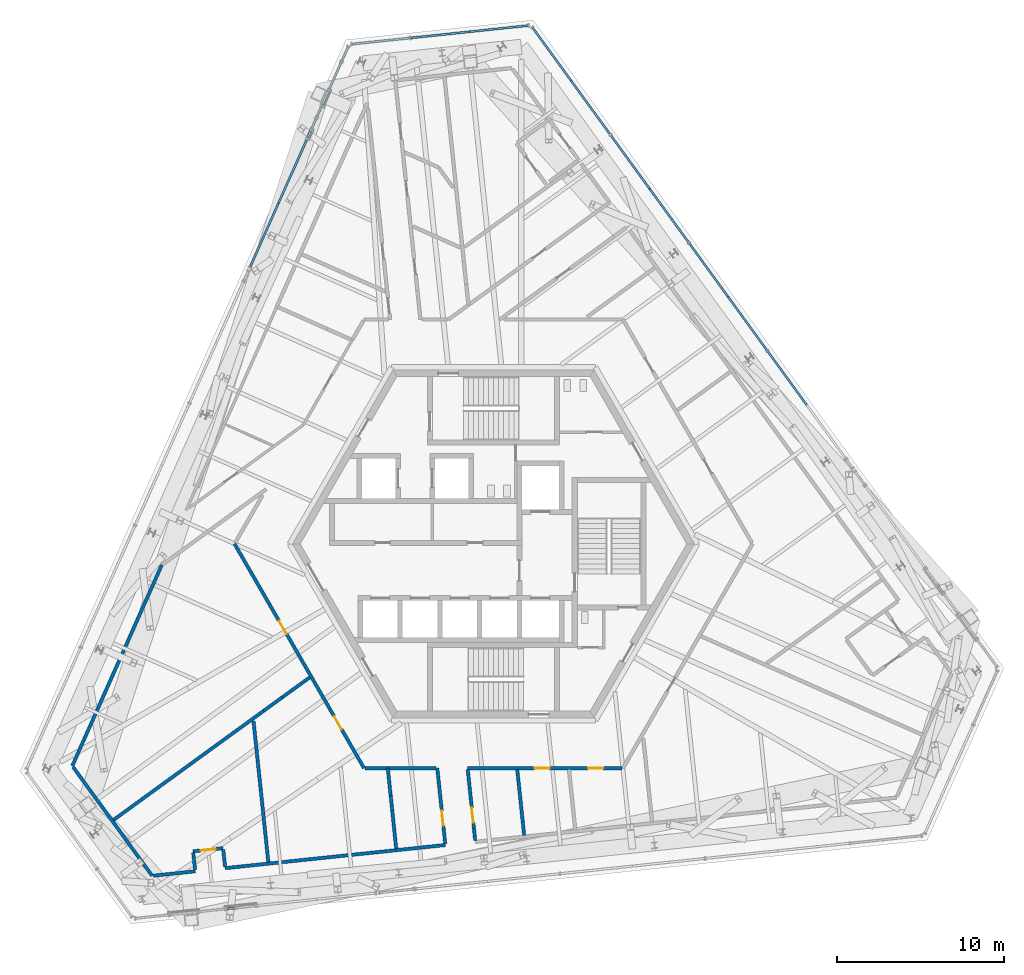
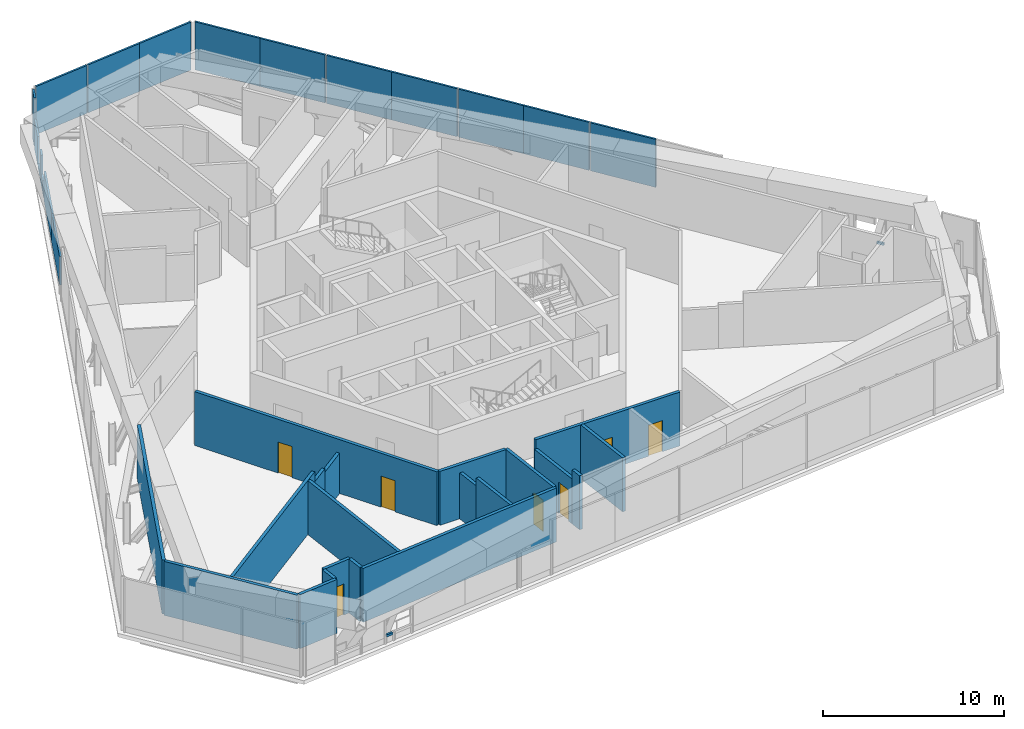
# One storey, part 12 of 23: 20 plates, 20 walls, 7 doors, 7 openings, 11 elements without a shape of their own.
"""IFC4 building model written with IfcOpenShell, lengths in metres."""

from ifc_helpers import new_model, si_unit, direction, frame, frame_2d, origin, origin_2d, place, context, subcontext, project, spatial, rectangle, extrude, source, transform, mapped, material, layer, layer_set, type_object, element, fill, aggregate, save


model = new_model("IFC4")

# Units and contexts
model_context = context("Model", 3, precision=1e-05, world=origin(), true_north=direction((0.0, 1.0)))
body_context = subcontext(model_context, "Body", "Model", "MODEL_VIEW")
ifc_project = project(units=[si_unit("LENGTHUNIT", "METRE"), si_unit("AREAUNIT", "SQUARE_METRE"), si_unit("VOLUMEUNIT", "CUBIC_METRE"), si_unit("PLANEANGLEUNIT", "RADIAN"), si_unit("MASSUNIT", "GRAM", prefix="KILO")], contexts=[model_context])

# Site, building, storey
site_placement = place(None, origin())
site = spatial("IfcSite", under=ifc_project, at=site_placement, CompositionType="ELEMENT")
building_placement = place(site_placement, origin())
building = spatial("IfcBuilding", under=site, at=building_placement, Name="Triune Harvest Tower", CompositionType="ELEMENT")
storey_placement = place(building_placement, frame((0.0, 0.0, 255.699951171875)))
storey = spatial("IfcBuildingStorey", under=building, at=storey_placement, Name="L67", CompositionType="ELEMENT", Elevation=255.699951171875)

# Curtain wall, plate
ifc_material_1 = material(Name="Aluminium bronze anodised", Category="aluminium")
curtain_wall_type = type_object("IfcCurtainWallType", Name="CW-5 Plant louvre wall", PredefinedType="NOTDEFINED", material=ifc_material_1)
curtain_wall_1_placement = place(storey_placement, origin())
curtain_wall_1 = element("IfcCurtainWall", 1, at=curtain_wall_1_placement, inside=storey, type_object=curtain_wall_type, Name="CW-5 B6-F3 L67 run 1")
ifc_material_2 = material(Name="Aluminium bronze anodised", Category="aluminium")
ifc_layer_1 = layer(ifc_material_2, 0.1201171875)
ifc_layer_set_1 = layer_set([ifc_layer_1], Name="Aluminium bronze anodised")
plate_type = type_object("IfcPlateType", Name="GL-5 panel 120", PredefinedType="CURTAIN_PANEL", material=ifc_layer_set_1)
plate_1_placement = place(storey_placement, frame((-8.867919921875, 29.262939453125, 0.39990234375), z_axis=(0.0, 0.0, 1.0), x_axis=(-0.406722768934, -0.913551634682, 0.0)))
plate_1 = element("IfcPlate", 2, at=plate_1_placement, type_object=plate_type, Name="CW-5 panel B6-F3 1.1", PredefinedType="CURTAIN_PANEL", context=body_context, shape_type="SweptSolid", body=[
    extrude(rectangle(XDim=0.887939453125, YDim=0.1201171875, at=origin_2d()), origin(), (0.0, 0.0, 1.0), 3.239990234375),
])
aggregate(curtain_wall_1, [plate_1])

curtain_wall_2_placement = place(storey_placement, origin())
curtain_wall_2 = element("IfcCurtainWall", 3, at=curtain_wall_2_placement, inside=storey, type_object=curtain_wall_type, Name="CW-5 B6-F3 L67 run 101")
plate_2_placement = place(storey_placement, frame((-9.45751953125, 27.9384765625, 0.39990234375), z_axis=(0.0, 0.0, 1.0), x_axis=(-0.406734695374, -0.913546324813, 0.0)))
plate_2 = element("IfcPlate", 4, at=plate_2_placement, type_object=plate_type, Name="CW-5 panel B6-F3 101.1", PredefinedType="CURTAIN_PANEL", context=body_context, shape_type="SweptSolid", body=[
    extrude(rectangle(XDim=1.691650390625, YDim=0.1201171875, at=origin_2d()), origin(), (0.0, 0.0, 1.0), 1.929931640625),
])
aggregate(curtain_wall_2, [plate_2])

curtain_wall_3_placement = place(storey_placement, origin())
curtain_wall_3 = element("IfcCurtainWall", 5, at=curtain_wall_3_placement, inside=storey, type_object=curtain_wall_type, Name="CW-5 B6-F3 L67 run 201")
plate_3_placement = place(storey_placement, frame((-10.04443359375, 26.6201171875, 0.39990234375), z_axis=(0.0, 0.0, 1.0), x_axis=(-0.406765895615, -0.913532433012, 0.0)))
plate_3 = element("IfcPlate", 6, at=plate_3_placement, type_object=plate_type, Name="CW-5 panel B6-F3 201.1", PredefinedType="CURTAIN_PANEL", context=body_context, shape_type="SweptSolid", body=[
    extrude(rectangle(XDim=0.875, YDim=0.1201171875, at=origin_2d()), origin(), (0.0, 0.0, 1.0), 0.240478515625),
])
aggregate(curtain_wall_3, [plate_3])

curtain_wall_4_placement = place(storey_placement, origin())
curtain_wall_4 = element("IfcCurtainWall", 7, at=curtain_wall_4_placement, inside=storey, type_object=curtain_wall_type, Name="CW-5 B6-F3 L67 run 301")
plate_4_placement = place(storey_placement, frame((-10.412353515625, 25.793701171875, 0.39990234375), z_axis=(0.0, 0.0, 1.0), x_axis=(-0.406713780658, -0.913555636304, 0.0)))
plate_4 = element("IfcPlate", 8, at=plate_4_placement, type_object=plate_type, Name="CW-5 panel B6-F3 301.1", PredefinedType="CURTAIN_PANEL", context=body_context, shape_type="SweptSolid", body=[
    extrude(rectangle(XDim=0.614013671875, YDim=0.1201171875, at=origin_2d()), origin(), (0.0, 0.0, 1.0), 1.929931640625),
])
aggregate(curtain_wall_4, [plate_4])

curtain_wall_5_placement = place(storey_placement, origin())
curtain_wall_5 = element("IfcCurtainWall", 9, at=curtain_wall_5_placement, inside=storey, type_object=curtain_wall_type, Name="CW-5 B6-F3 L67 run 401")
plate_5_placement = place(storey_placement, frame((-10.727294921875, 25.086669921875, 0.400146484375), z_axis=(0.0, 0.0, 1.0), x_axis=(-0.406761789834, -0.91353426117, 0.0)))
plate_5 = element("IfcPlate", 10, at=plate_5_placement, type_object=plate_type, Name="CW-5 panel B6-F3 401.1", PredefinedType="CURTAIN_PANEL", context=body_context, shape_type="SweptSolid", body=[
    extrude(rectangle(XDim=0.614013671875, YDim=0.1201171875, at=origin_2d()), origin(), (0.0, 0.0, 1.0), 0.76171875),
])
aggregate(curtain_wall_5, [plate_5])

curtain_wall_6_placement = place(storey_placement, origin())
curtain_wall_6 = element("IfcCurtainWall", 11, at=curtain_wall_6_placement, inside=storey, type_object=curtain_wall_type, Name="CW-5 B6-F5 L67 run 301")
plate_6_placement = place(storey_placement, frame((-15.686767578125, -21.762451171875, 0.39990234375), z_axis=(0.0, 0.0, 1.0), x_axis=(0.994517637256, 0.104568968563, 0.0)))
plate_6 = element("IfcPlate", 12, at=plate_6_placement, type_object=plate_type, Name="CW-5 panel B6-F5 301.1", PredefinedType="CURTAIN_PANEL", context=body_context, shape_type="SweptSolid", body=[
    extrude(rectangle(XDim=0.42431640625, YDim=0.1201171875, at=origin_2d()), origin(), (0.0, 0.0, 1.0), 0.156982421875),
])
aggregate(curtain_wall_6, [plate_6])

curtain_wall_7_placement = place(storey_placement, origin())
curtain_wall_7 = element("IfcCurtainWall", 13, at=curtain_wall_7_placement, inside=storey, type_object=curtain_wall_type, Name="CW-5 B6-F1 L67 run 301")
shared_shape_1 = source(origin(), body_context, "Body", "SweptSolid", [
    extrude(rectangle(XDim=0.42431640625, YDim=0.1201171875, at=origin_2d()), origin(), (0.0, 0.0, 1.0), 0.1572265625),
])
plate_7_placement = place(storey_placement, frame((26.690185546875, -2.703857421875, 0.400146484375), z_axis=(0.0, 0.0, 1.0), x_axis=(-0.587744192127, 0.809046824739, 0.0)))
plate_7 = element("IfcPlate", 14, at=plate_7_placement, type_object=plate_type, Name="CW-5 panel B6-F1 301.1", PredefinedType="CURTAIN_PANEL", context=body_context, shape_type="MappedRepresentation", body=[
    mapped(shared_shape_1, transform((0.0, 0.0, 0.0), scale=1.0)),
])
aggregate(curtain_wall_7, [plate_7])

curtain_wall_8_placement = place(storey_placement, origin())
curtain_wall_8 = element("IfcCurtainWall", 15, at=curtain_wall_8_placement, inside=storey, type_object=curtain_wall_type, Name="CW-5 B6-F3 L67 run 501")
plate_8_placement = place(storey_placement, frame((-11.00341796875, 24.46630859375, 0.400146484375), z_axis=(0.0, 0.0, 1.0), x_axis=(-0.406789384082, -0.913521974009, 0.0)))
plate_8 = element("IfcPlate", 16, at=plate_8_placement, type_object=plate_type, Name="CW-5 panel B6-F3 501.1", PredefinedType="CURTAIN_PANEL", context=body_context, shape_type="MappedRepresentation", body=[
    mapped(shared_shape_1, transform((0.0, 0.0, 0.0), scale=1.0)),
])
aggregate(curtain_wall_8, [plate_8])

# Curtain wall, plates
curtain_wall_9_placement = place(storey_placement, origin())
curtain_wall_9 = element("IfcCurtainWall", 17, at=curtain_wall_9_placement, inside=storey, type_object=curtain_wall_type, Name="CW-5 B6-F1 L67 run 901")
shared_shape_2 = source(origin(), body_context, "Body", "SweptSolid", [
    extrude(rectangle(XDim=3.910888671875, YDim=0.1201171875, at=origin_2d()), origin(), (0.0, 0.0, 1.0), 3.239990234375),
])
plate_9_placement = place(storey_placement, frame((3.478515625, 29.244384765625, 0.39990234375), z_axis=(0.0, 0.0, 1.0), x_axis=(-0.587786122057, 0.809016362454, 0.0)))
plate_9 = element("IfcPlate", 18, at=plate_9_placement, type_object=plate_type, Name="CW-5 panel B6-F1 901.8", PredefinedType="CURTAIN_PANEL", context=body_context, shape_type="MappedRepresentation", body=[
    mapped(shared_shape_2, transform((0.0, 0.0, 0.0), scale=1.0)),
])
shared_shape_3 = source(origin(), body_context, "Body", "SweptSolid", [
    extrude(rectangle(XDim=3.950927734375, YDim=0.1201171875, at=origin_2d()), origin(), (0.0, 0.0, 1.0), 3.239990234375),
])
plate_10_placement = place(storey_placement, frame((17.541259765625, 9.888427734375, 0.39990234375), z_axis=(0.0, 0.0, 1.0), x_axis=(-0.587786122057, 0.809016362454, 0.0)))
plate_10 = element("IfcPlate", 19, at=plate_10_placement, type_object=plate_type, Name="CW-5 panel B6-F1 901.2", PredefinedType="CURTAIN_PANEL", context=body_context, shape_type="MappedRepresentation", body=[
    mapped(shared_shape_3, transform((0.0, 0.0, 0.0), scale=1.0)),
])
plate_11_placement = place(storey_placement, frame((15.172119140625, 13.149658203125, 0.39990234375), z_axis=(0.0, 0.0, 1.0), x_axis=(-0.587786122057, 0.809016362454, 0.0)))
plate_11 = element("IfcPlate", 20, at=plate_11_placement, type_object=plate_type, Name="CW-5 panel B6-F1 901.3", PredefinedType="CURTAIN_PANEL", context=body_context, shape_type="MappedRepresentation", body=[
    mapped(shared_shape_3, transform((0.0, 0.0, 0.0), scale=1.0)),
])
plate_12_placement = place(storey_placement, frame((12.849853515625, 16.345947265625, 0.39990234375), z_axis=(0.0, 0.0, 1.0), x_axis=(-0.587786122057, 0.809016362454, 0.0)))
plate_12 = element("IfcPlate", 21, at=plate_12_placement, type_object=plate_type, Name="CW-5 panel B6-F1 901.4", PredefinedType="CURTAIN_PANEL", context=body_context, shape_type="MappedRepresentation", body=[
    mapped(shared_shape_3, transform((0.0, 0.0, 0.0), scale=1.0)),
])
plate_13_placement = place(storey_placement, frame((10.48046875, 19.60693359375, 0.39990234375), z_axis=(0.0, 0.0, 1.0), x_axis=(-0.587786122057, 0.809016362454, 0.0)))
plate_13 = element("IfcPlate", 22, at=plate_13_placement, type_object=plate_type, Name="CW-5 panel B6-F1 901.5", PredefinedType="CURTAIN_PANEL", context=body_context, shape_type="MappedRepresentation", body=[
    mapped(shared_shape_3, transform((0.0, 0.0, 0.0), scale=1.0)),
])
plate_14_placement = place(storey_placement, frame((8.158203125, 22.80322265625, 0.39990234375), z_axis=(0.0, 0.0, 1.0), x_axis=(-0.587786122057, 0.809016362454, 0.0)))
plate_14 = element("IfcPlate", 23, at=plate_14_placement, type_object=plate_type, Name="CW-5 panel B6-F1 901.6", PredefinedType="CURTAIN_PANEL", context=body_context, shape_type="MappedRepresentation", body=[
    mapped(shared_shape_3, transform((0.0, 0.0, 0.0), scale=1.0)),
])
plate_15_placement = place(storey_placement, frame((5.788818359375, 26.064208984375, 0.39990234375), z_axis=(0.0, 0.0, 1.0), x_axis=(-0.587786122057, 0.809016362454, 0.0)))
plate_15 = element("IfcPlate", 24, at=plate_15_placement, type_object=plate_type, Name="CW-5 panel B6-F1 901.7", PredefinedType="CURTAIN_PANEL", context=body_context, shape_type="MappedRepresentation", body=[
    mapped(shared_shape_3, transform((0.0, 0.0, 0.0), scale=1.0)),
])
aggregate(curtain_wall_9, [plate_10, plate_11, plate_12, plate_13, plate_14, plate_15, plate_9])

curtain_wall_10_placement = place(storey_placement, origin())
curtain_wall_10 = element("IfcCurtainWall", 25, at=curtain_wall_10_placement, inside=storey, type_object=curtain_wall_type, Name="CW-5 B6-F2 L67 run 1")
shared_shape_4 = source(origin(), body_context, "Body", "SweptSolid", [
    extrude(rectangle(XDim=3.49560546875, YDim=0.1201171875, at=origin_2d()), origin(), (0.0, 0.0, 1.0), 3.239990234375),
])
plate_16_placement = place(storey_placement, frame((0.32177734375, 30.763427734375, 0.39990234375), z_axis=(0.0, 0.0, 1.0), x_axis=(-0.994521768229, -0.104529672907, 0.0)))
plate_16 = element("IfcPlate", 26, at=plate_16_placement, type_object=plate_type, Name="CW-5 panel B6-F2 1.1", PredefinedType="CURTAIN_PANEL", context=body_context, shape_type="MappedRepresentation", body=[
    mapped(shared_shape_4, transform((0.0, 0.0, 0.0), scale=1.0)),
])
shared_shape_5 = source(origin(), body_context, "Body", "SweptSolid", [
    extrude(rectangle(XDim=3.53564453125, YDim=0.1201171875, at=origin_2d()), origin(), (0.0, 0.0, 1.0), 3.239990234375),
])
plate_17_placement = place(storey_placement, frame((-3.174560546875, 30.39599609375, 0.39990234375), z_axis=(0.0, 0.0, 1.0), x_axis=(-0.994521768229, -0.104529672907, 0.0)))
plate_17 = element("IfcPlate", 27, at=plate_17_placement, type_object=plate_type, Name="CW-5 panel B6-F2 1.2", PredefinedType="CURTAIN_PANEL", context=body_context, shape_type="MappedRepresentation", body=[
    mapped(shared_shape_5, transform((0.0, 0.0, 0.0), scale=1.0)),
])
shared_shape_6 = source(origin(), body_context, "Body", "SweptSolid", [
    extrude(rectangle(XDim=3.45556640625, YDim=0.1201171875, at=origin_2d()), origin(), (0.0, 0.0, 1.0), 3.239990234375),
])
plate_18_placement = place(storey_placement, frame((-6.730712890625, 30.022216796875, 0.39990234375), z_axis=(0.0, 0.0, 1.0), x_axis=(-0.994521768229, -0.104529672907, 0.0)))
plate_18 = element("IfcPlate", 28, at=plate_18_placement, type_object=plate_type, Name="CW-5 panel B6-F2 1.3", PredefinedType="CURTAIN_PANEL", context=body_context, shape_type="MappedRepresentation", body=[
    mapped(shared_shape_6, transform((0.0, 0.0, 0.0), scale=1.0)),
])
aggregate(curtain_wall_10, [plate_16, plate_17, plate_18])

curtain_wall_11_placement = place(storey_placement, origin())
curtain_wall_11 = element("IfcCurtainWall", 29, at=curtain_wall_11_placement, inside=storey, type_object=curtain_wall_type, Name="CW-5 B6-F3 L67 run 601")
shared_shape_7 = source(origin(), body_context, "Body", "SweptSolid", [
    extrude(rectangle(XDim=4.147216796875, YDim=0.1201171875, at=origin_2d()), origin(), (0.0, 0.0, 1.0), 1.929931640625),
])
plate_19_placement = place(storey_placement, frame((-11.998291015625, 22.23193359375, 0.39990234375), z_axis=(0.0, 0.0, 1.0), x_axis=(-0.406734298534, -0.913546501496, 0.0)))
plate_19 = element("IfcPlate", 30, at=plate_19_placement, type_object=plate_type, Name="CW-5 panel B6-F3 601.1", PredefinedType="CURTAIN_PANEL", context=body_context, shape_type="MappedRepresentation", body=[
    mapped(shared_shape_7, transform((0.0, 0.0, 0.0), scale=1.0)),
])
plate_20_placement = place(storey_placement, frame((-13.68505859375, 18.443359375, 0.39990234375), z_axis=(0.0, 0.0, 1.0), x_axis=(-0.406734298534, -0.913546501496, 0.0)))
plate_20 = element("IfcPlate", 31, at=plate_20_placement, type_object=plate_type, Name="CW-5 panel B6-F3 601.2", PredefinedType="CURTAIN_PANEL", context=body_context, shape_type="MappedRepresentation", body=[
    mapped(shared_shape_7, transform((0.0, 0.0, 0.0), scale=1.0)),
])
aggregate(curtain_wall_11, [plate_19, plate_20])

# Walls
ifc_material_3 = material(Name="Gypsum board on steel studs", Category="steel")
ifc_layer_2 = layer(ifc_material_3, 0.199951171875)
ifc_layer_set_2 = layer_set([ifc_layer_2], Name="Gypsum board on steel studs")
wall_type = type_object("IfcWallType", Name="Fire Wall 200 mm", PredefinedType="PARTITIONING", material=ifc_layer_set_2)
wall_1_placement = place(storey_placement, frame((-14.33203125, -10.573486328125, 0.0), z_axis=(0.0, 0.0, 1.0), x_axis=(0.104521542709, -0.994522622724, 0.0)))
element("IfcWall", 32, at=wall_1_placement, inside=storey, type_object=wall_type, Name="Partition L67 003", PredefinedType="PARTITIONING", context=body_context, shape_type="SweptSolid", body=[
    extrude(rectangle(XDim=8.48583984375, YDim=0.199951171875, at=frame_2d((4.242919921875, 0.0))), origin(), (0.0, 0.0, 1.0), 3.64013671875),
])
wall_2_placement = place(storey_placement, frame((-6.314208984375, -13.392333984375, 0.0), z_axis=(0.0, 0.0, 1.0), x_axis=(0.10453020092, -0.994521712732, 0.0)))
element("IfcWall", 33, at=wall_2_placement, inside=storey, type_object=wall_type, Name="Partition L67 004", PredefinedType="PARTITIONING", context=body_context, shape_type="SweptSolid", body=[
    extrude(rectangle(XDim=1.644287109375, YDim=0.199951171875, at=frame_2d((0.822265625, 0.0))), origin(), (0.0, 0.0, 1.0), 3.10400390625),
])

# Wall, opening, door
wall_3_placement = place(storey_placement, frame((-3.35791015625, -13.392333984375, 0.0), z_axis=(0.0, 0.0, 1.0), x_axis=(0.104533475735, -0.994521368524, 0.0)))
wall_3 = element("IfcWall", 34, at=wall_3_placement, inside=storey, type_object=wall_type, Name="Partition L67 006", PredefinedType="PARTITIONING", context=body_context, shape_type="SweptSolid", body=[
    extrude(rectangle(XDim=4.53564453125, YDim=0.199951171875, at=frame_2d((2.267822265625, 0.0))), origin(), (0.0, 0.0, 1.0), 3.64013671875),
])
opening_1_placement = place(wall_3_placement, frame((2.564208984375, 0.0, 0.0)))
opening_1 = element("IfcOpeningElement", 35, at=opening_1_placement, cuts=wall_3, Name="Opening L67-017", PredefinedType="OPENING", context=body_context, shape_type="SweptSolid", body=[
    extrude(rectangle(XDim=0.89990234375, YDim=2.10009765625, at=frame_2d((0.449951171875, 1.050048828125))), frame((0.0, 0.10986328125, 0.0), z_axis=(0.0, -1.0, 0.0), x_axis=(1.0, 0.0, 0.0)), (0.0, 0.0, 1.0), 0.219970703125),
])
ifc_material_4 = material(Name="Timber and steel door set", Category="steel")
door_type_1 = type_object("IfcDoorType", Name="Single leaf door FD60 left hand 900 x 2100", OperationType="SINGLE_SWING_LEFT", PredefinedType="DOOR", material=ifc_material_4)
door_1_placement = place(opening_1_placement, origin())
door_1 = element("IfcDoor", 36, at=door_1_placement, inside=storey, type_object=door_type_1, Name="Door L67-017 Pump Room 67.17", OperationType="SINGLE_SWING_LEFT", OverallHeight=2.10009765625, OverallWidth=0.89990234375, PredefinedType="DOOR", context=body_context, shape_type="SweptSolid", body=[
    extrude(rectangle(XDim=0.89990234375, YDim=2.10009765625, at=frame_2d((0.449951171875, 1.050048828125))), frame((0.0, 0.02490234375, 0.0), z_axis=(0.0, -1.0, 0.0), x_axis=(1.0, 0.0, 0.0)), (0.0, 0.0, 1.0), 0.050048828125),
])
fill(opening_1, door_1)

wall_4_placement = place(storey_placement, frame((-1.538818359375, -13.481689453125, 0.0), z_axis=(0.0, 0.0, 1.0), x_axis=(0.104544691041, -0.994520189627, 0.0)))
wall_4 = element("IfcWall", 37, at=wall_4_placement, inside=storey, type_object=wall_type, Name="Partition L67 008", PredefinedType="PARTITIONING", context=body_context, shape_type="SweptSolid", body=[
    extrude(rectangle(XDim=3.537841796875, YDim=0.199951171875, at=frame_2d((1.76904296875, 0.0))), origin(), (0.0, 0.0, 1.0), 3.02783203125),
])
opening_2_placement = place(wall_4_placement, frame((2.286376953125, 0.0, 0.0)))
opening_2 = element("IfcOpeningElement", 38, at=opening_2_placement, cuts=wall_4, Name="Opening L67-018", PredefinedType="OPENING", context=body_context, shape_type="SweptSolid", body=[
    extrude(rectangle(XDim=0.89990234375, YDim=2.10009765625, at=frame_2d((0.449951171875, 1.050048828125))), frame((0.0, 0.10986328125, 0.0), z_axis=(0.0, -1.0, 0.0), x_axis=(1.0, 0.0, 0.0)), (0.0, 0.0, 1.0), 0.219970703125),
])
ifc_material_5 = material(Name="Timber and steel door set", Category="steel")
door_type_2 = type_object("IfcDoorType", Name="Single leaf door FD60 right hand 900 x 2100", OperationType="SINGLE_SWING_RIGHT", PredefinedType="DOOR", material=ifc_material_5)
door_2_placement = place(opening_2_placement, origin())
door_2 = element("IfcDoor", 39, at=door_2_placement, inside=storey, type_object=door_type_2, Name="Door L67-018 Switch Room 67.18", OperationType="SINGLE_SWING_RIGHT", OverallHeight=2.10009765625, OverallWidth=0.89990234375, PredefinedType="DOOR", context=body_context, shape_type="SweptSolid", body=[
    extrude(rectangle(XDim=0.89990234375, YDim=2.10009765625, at=frame_2d((0.449951171875, 1.050048828125))), frame((0.0, 0.02490234375, 0.0), z_axis=(0.0, -1.0, 0.0), x_axis=(1.0, 0.0, 0.0)), (0.0, 0.0, 1.0), 0.050048828125),
])
fill(opening_2, door_2)

# Walls
wall_5_placement = place(storey_placement, frame((-1.1689453125, -17.000244140625, 0.0), z_axis=(0.0, 0.0, 1.0), x_axis=(0.104313343332, -0.994544481862, 0.0)))
element("IfcWall", 40, at=wall_5_placement, inside=storey, type_object=wall_type, Name="Partition L67 008a", PredefinedType="PARTITIONING", context=body_context, shape_type="SweptSolid", body=[
    extrude(rectangle(XDim=0.718505859375, YDim=0.199951171875, at=frame_2d((0.359375, 0.0))), origin(), (0.0, 0.0, 1.0), 3.64013671875),
])
wall_6_placement = place(storey_placement, frame((1.4169921875, -13.481689453125, 0.0), z_axis=(0.0, 0.0, 1.0), x_axis=(0.104523807841, -0.994522384662, 0.0)))
element("IfcWall", 41, at=wall_6_placement, inside=storey, type_object=wall_type, Name="Partition L67 010", PredefinedType="PARTITIONING", context=body_context, shape_type="SweptSolid", body=[
    extrude(rectangle(XDim=3.947509765625, YDim=0.199951171875, at=frame_2d((1.9736328125, 0.0))), origin(), (0.0, 0.0, 1.0), 3.64013671875),
])
wall_7_placement = place(storey_placement, frame((-25.10986328125, -13.316162109375, 0.0), z_axis=(0.0, 0.0, 1.0), x_axis=(0.587798000585, -0.809007732045, 0.0)))
element("IfcWall", 42, at=wall_7_placement, inside=storey, type_object=wall_type, Name="Partition L67 015", PredefinedType="PARTITIONING", context=body_context, shape_type="SweptSolid", body=[
    extrude(rectangle(XDim=8.04248046875, YDim=0.199951171875, at=frame_2d((4.021240234375, 0.0))), origin(), (0.0, 0.0, 1.0), 3.64013671875),
])
wall_8_placement = place(storey_placement, frame((-7.662109375, -13.392333984375, 0.0), z_axis=(0.0, 0.0, 1.0), x_axis=(1.0, 0.0, 0.0)))
element("IfcWall", 43, at=wall_8_placement, inside=storey, type_object=wall_type, Name="Partition L67 030", PredefinedType="PARTITIONING", context=body_context, shape_type="SweptSolid", body=[
    extrude(rectangle(XDim=4.223876953125, YDim=0.199951171875, at=frame_2d((2.11181640625, 0.0))), origin(), (0.0, 0.0, 1.0), 3.64013671875),
])
wall_9_placement = place(storey_placement, frame((-20.312744140625, -19.815185546875, 0.0), z_axis=(0.0, 0.0, 1.0), x_axis=(0.994525654984, 0.104492686726, 0.0)))
element("IfcWall", 44, at=wall_9_placement, inside=storey, type_object=wall_type, Name="Partition L67 035", PredefinedType="PARTITIONING", context=body_context, shape_type="SweptSolid", body=[
    extrude(rectangle(XDim=2.513916015625, YDim=0.199951171875, at=frame_2d((1.2568359375, 0.0))), origin(), (0.0, 0.0, 1.0), 3.64013671875),
])
wall_10_placement = place(storey_placement, frame((-16.022705078125, -19.3642578125, 0.0), z_axis=(0.0, 0.0, 1.0), x_axis=(0.994523350514, 0.104514617552, 0.0)))
element("IfcWall", 45, at=wall_10_placement, inside=storey, type_object=wall_type, Name="Partition L67 036", PredefinedType="PARTITIONING", context=body_context, shape_type="SweptSolid", body=[
    extrude(rectangle(XDim=13.21923828125, YDim=0.199951171875, at=frame_2d((6.609619140625, 0.0))), origin(), (0.0, 0.0, 1.0), 3.64013671875),
])
wall_11_placement = place(storey_placement, frame((-22.766845703125, -16.540771484375, 0.0), z_axis=(0.0, 0.0, 1.0), x_axis=(0.80902301936, 0.587776959522, 0.0)))
element("IfcWall", 46, at=wall_11_placement, inside=storey, type_object=wall_type, Name="Partition L67 043", PredefinedType="PARTITIONING", context=body_context, shape_type="SweptSolid", body=[
    extrude(rectangle(XDim=11.181640625, YDim=0.199951171875, at=frame_2d((5.5908203125, 0.0))), origin(), (0.0, 0.0, 1.0), 3.64013671875),
])
wall_12_placement = place(storey_placement, frame((-13.720703125, -9.968505859375, 0.0), z_axis=(0.0, 0.0, 1.0), x_axis=(0.809011945079, 0.58779220199, 0.0)))
element("IfcWall", 47, at=wall_12_placement, inside=storey, type_object=wall_type, Name="Partition L67 043a", PredefinedType="PARTITIONING", context=body_context, shape_type="SweptSolid", body=[
    extrude(rectangle(XDim=1.377197265625, YDim=0.199951171875, at=frame_2d((0.6884765625, 0.0))), origin(), (0.0, 0.0, 1.0), 2.956787109375),
])
wall_13_placement = place(storey_placement, frame((-12.6064453125, -9.158935546875, 0.0), z_axis=(0.0, 0.0, 1.0), x_axis=(0.809017368716, 0.587784737056, 0.0)))
element("IfcWall", 48, at=wall_13_placement, inside=storey, type_object=wall_type, Name="Partition L67 043b", PredefinedType="PARTITIONING", context=body_context, shape_type="SweptSolid", body=[
    extrude(rectangle(XDim=2.026123046875, YDim=0.199951171875, at=frame_2d((1.01318359375, 0.0))), origin(), (0.0, 0.0, 1.0), 2.7255859375),
])
wall_14_placement = place(storey_placement, frame((-25.15087890625, -13.259521484375, 0.0), z_axis=(0.0, 0.0, 1.0), x_axis=(0.40672341593, 0.913551346633, 0.0)))
element("IfcWall", 49, at=wall_14_placement, inside=storey, type_object=wall_type, Name="Partition L67 058", PredefinedType="PARTITIONING", context=body_context, shape_type="SweptSolid", body=[
    extrude(rectangle(XDim=13.1259765625, YDim=0.199951171875, at=frame_2d((6.56298828125, 0.0))), origin(), (0.0, 0.0, 1.0), 3.64013671875),
])

# Wall, openings, doors
shared_shape_8 = source(origin(), body_context, "Body", "SweptSolid", [
    extrude(rectangle(XDim=9.21044921875, YDim=0.199951171875, at=frame_2d((4.605224609375, 0.0))), origin(), (0.0, 0.0, 1.0), 3.64013671875),
])
wall_15_placement = place(storey_placement, frame((-1.54833984375, -13.392333984375, 0.0), z_axis=(0.0, 0.0, 1.0), x_axis=(1.0, 0.0, 0.0)))
wall_15 = element("IfcWall", 50, at=wall_15_placement, inside=storey, type_object=wall_type, Name="Partition L67 031", PredefinedType="PARTITIONING", context=body_context, shape_type="MappedRepresentation", body=[
    mapped(shared_shape_8, transform((0.0, 0.0, 0.0), scale=1.0)),
])
opening_3_placement = place(wall_15_placement, frame((4.005859375, 0.0, 0.0)))
opening_3 = element("IfcOpeningElement", 51, at=opening_3_placement, cuts=wall_15, Name="Opening L67-019", PredefinedType="OPENING", context=body_context, shape_type="SweptSolid", body=[
    extrude(rectangle(XDim=0.89990234375, YDim=2.10009765625, at=frame_2d((0.449951171875, 1.050048828125))), frame((0.0, 0.10986328125, 0.0), z_axis=(0.0, -1.0, 0.0), x_axis=(1.0, 0.0, 0.0)), (0.0, 0.0, 1.0), 0.219970703125),
])
opening_4_placement = place(wall_15_placement, frame((7.194580078125, 0.0, 0.0)))
opening_4 = element("IfcOpeningElement", 52, at=opening_4_placement, cuts=wall_15, Name="Opening L67-020", PredefinedType="OPENING", context=body_context, shape_type="SweptSolid", body=[
    extrude(rectangle(XDim=0.89990234375, YDim=2.10009765625, at=frame_2d((0.449951171875, 1.050048828125))), frame((0.0, 0.10986328125, 0.0), z_axis=(0.0, -1.0, 0.0), x_axis=(1.0, 0.0, 0.0)), (0.0, 0.0, 1.0), 0.219970703125),
])
door_3_placement = place(opening_4_placement, origin())
door_3 = element("IfcDoor", 53, at=door_3_placement, inside=storey, type_object=door_type_1, Name="Door L67-020 Telecom Plant Room 67.20", OperationType="SINGLE_SWING_LEFT", OverallHeight=2.10009765625, OverallWidth=0.89990234375, PredefinedType="DOOR", context=body_context, shape_type="SweptSolid", body=[
    extrude(rectangle(XDim=0.89990234375, YDim=2.10009765625, at=frame_2d((0.449951171875, 1.050048828125))), frame((0.0, 0.02490234375, 0.0), z_axis=(0.0, -1.0, 0.0), x_axis=(1.0, 0.0, 0.0)), (0.0, 0.0, 1.0), 0.050048828125),
])
fill(opening_4, door_3)
door_4_placement = place(opening_3_placement, origin())
door_4 = element("IfcDoor", 54, at=door_4_placement, inside=storey, type_object=door_type_2, Name="Door L67-019 Electrical Plant Room 67.19", OperationType="SINGLE_SWING_RIGHT", OverallHeight=2.10009765625, OverallWidth=0.89990234375, PredefinedType="DOOR", context=body_context, shape_type="SweptSolid", body=[
    extrude(rectangle(XDim=0.89990234375, YDim=2.10009765625, at=frame_2d((0.449951171875, 1.050048828125))), frame((0.0, 0.02490234375, 0.0), z_axis=(0.0, -1.0, 0.0), x_axis=(1.0, 0.0, 0.0)), (0.0, 0.0, 1.0), 0.050048828125),
])
fill(opening_3, door_4)

# Wall, opening, door
shared_shape_9 = source(origin(), body_context, "Body", "SweptSolid", [
    extrude(rectangle(XDim=1.800048828125, YDim=0.199951171875, at=frame_2d((0.89990234375, 0.0))), origin(), (0.0, 0.0, 1.0), 3.64013671875),
])
wall_16_placement = place(storey_placement, frame((-17.93798828125, -18.359130859375, 0.0), z_axis=(0.0, 0.0, 1.0), x_axis=(0.994518078987, 0.104564767339, 0.0)))
wall_16 = element("IfcWall", 55, at=wall_16_placement, inside=storey, type_object=wall_type, Name="Partition L67 038", PredefinedType="PARTITIONING", context=body_context, shape_type="MappedRepresentation", body=[
    mapped(shared_shape_9, transform((0.0, 0.0, 0.0), scale=1.0)),
])
opening_5_placement = place(wall_16_placement, frame((0.4501953125, 0.0, 0.0)))
opening_5 = element("IfcOpeningElement", 56, at=opening_5_placement, cuts=wall_16, Name="Opening L67-015", PredefinedType="OPENING", context=body_context, shape_type="SweptSolid", body=[
    extrude(rectangle(XDim=0.89990234375, YDim=2.10009765625, at=frame_2d((0.449951171875, 1.050048828125))), frame((0.0, 0.10986328125, 0.0), z_axis=(0.0, -1.0, 0.0), x_axis=(1.0, 0.0, 0.0)), (0.0, 0.0, 1.0), 0.219970703125),
])
door_5_placement = place(opening_5_placement, origin())
door_5 = element("IfcDoor", 57, at=door_5_placement, inside=storey, type_object=door_type_2, Name="Door L67-015 Plant room 67.15", OperationType="SINGLE_SWING_RIGHT", OverallHeight=2.10009765625, OverallWidth=0.89990234375, PredefinedType="DOOR", context=body_context, shape_type="SweptSolid", body=[
    extrude(rectangle(XDim=0.89990234375, YDim=2.10009765625, at=frame_2d((0.449951171875, 1.050048828125))), frame((0.0, 0.02490234375, 0.0), z_axis=(0.0, -1.0, 0.0), x_axis=(1.0, 0.0, 0.0)), (0.0, 0.0, 1.0), 0.050048828125),
])
fill(opening_5, door_5)

# Walls
shared_shape_10 = source(origin(), body_context, "Body", "SweptSolid", [
    extrude(rectangle(XDim=1.039794921875, YDim=0.199951171875, at=frame_2d((0.52001953125, 0.0))), origin(), (0.0, 0.0, 1.0), 3.64013671875),
])
for number, where, z_axis, x_axis, name in (
    (58, (-17.9296875, -18.438720703125, 0.0), (0.0, 0.0, 1.0), (0.104477018177, -0.99452730112, 0.0), "Partition L67 001"),
    (59, (-16.139404296875, -18.25048828125, 0.0), (0.0, 0.0, 1.0), (0.104477018177, -0.99452730112, 0.0), "Partition L67 002"),
):
    element("IfcWall", number, at=place(storey_placement, frame(where, z_axis=z_axis, x_axis=x_axis)), inside=storey, type_object=wall_type, Name=name, PredefinedType="PARTITIONING", context=body_context, shape_type="MappedRepresentation", body=[
        mapped(shared_shape_10, transform((0.0, 0.0, 0.0), scale=1.0)),
    ])
shared_shape_11 = source(origin(), body_context, "Body", "SweptSolid", [
    extrude(rectangle(XDim=3.2001953125, YDim=0.199951171875, at=frame_2d((1.60009765625, 0.0))), origin(), (0.0, 0.0, 1.0), 3.64013671875),
])
wall_17_placement = place(storey_placement, frame((-6.142333984375, -15.027587890625, 0.0), z_axis=(0.0, 0.0, 1.0), x_axis=(0.104517989015, -0.994522996201, 0.0)))
element("IfcWall", 60, at=wall_17_placement, inside=storey, type_object=wall_type, Name="Partition L67 004a", PredefinedType="PARTITIONING", context=body_context, shape_type="MappedRepresentation", body=[
    mapped(shared_shape_11, transform((0.0, 0.0, 0.0), scale=1.0)),
])

# Wall, openings, doors
shared_shape_12 = source(origin(), body_context, "Body", "SweptSolid", [
    extrude(rectangle(XDim=15.464111328125, YDim=0.199951171875, at=frame_2d((7.73193359375, 0.0))), origin(), (0.0, 0.0, 1.0), 3.64013671875),
])
wall_18_placement = place(storey_placement, frame((-15.464111328125, 0.0, 0.0), z_axis=(0.0, 0.0, 1.0), x_axis=(0.499993499245, -0.866029156965, 0.0)))
wall_18 = element("IfcWall", 61, at=wall_18_placement, inside=storey, type_object=wall_type, Name="Partition L67 013", PredefinedType="PARTITIONING", context=body_context, shape_type="MappedRepresentation", body=[
    mapped(shared_shape_12, transform((0.0, 0.0, 0.0), scale=1.0)),
])
opening_6_placement = place(wall_18_placement, frame((5.314208984375, 0.0, 0.0)))
opening_6 = element("IfcOpeningElement", 62, at=opening_6_placement, cuts=wall_18, Name="Opening L67-013", PredefinedType="OPENING", context=body_context, shape_type="SweptSolid", body=[
    extrude(rectangle(XDim=0.89990234375, YDim=2.10009765625, at=frame_2d((0.449951171875, 1.050048828125))), frame((0.0, 0.10986328125, 0.0), z_axis=(0.0, -1.0, 0.0), x_axis=(1.0, 0.0, 0.0)), (0.0, 0.0, 1.0), 0.219970703125),
])
opening_7_placement = place(wall_18_placement, frame((11.8896484375, 0.0, 0.0)))
opening_7 = element("IfcOpeningElement", 63, at=opening_7_placement, cuts=wall_18, Name="Opening L67-016", PredefinedType="OPENING", context=body_context, shape_type="SweptSolid", body=[
    extrude(rectangle(XDim=0.89990234375, YDim=2.10009765625, at=frame_2d((0.449951171875, 1.050048828125))), frame((0.0, 0.10986328125, 0.0), z_axis=(0.0, -1.0, 0.0), x_axis=(1.0, 0.0, 0.0)), (0.0, 0.0, 1.0), 0.219970703125),
])
door_6_placement = place(opening_7_placement, origin())
door_6 = element("IfcDoor", 64, at=door_6_placement, inside=storey, type_object=door_type_1, Name="Door L67-016 Pump Plant Room 67.16", OperationType="SINGLE_SWING_LEFT", OverallHeight=2.10009765625, OverallWidth=0.89990234375, PredefinedType="DOOR", context=body_context, shape_type="SweptSolid", body=[
    extrude(rectangle(XDim=0.89990234375, YDim=2.10009765625, at=frame_2d((0.449951171875, 1.050048828125))), frame((0.0, 0.02490234375, 0.0), z_axis=(0.0, -1.0, 0.0), x_axis=(1.0, 0.0, 0.0)), (0.0, 0.0, 1.0), 0.050048828125),
])
fill(opening_7, door_6)
door_7_placement = place(opening_6_placement, origin())
door_7 = element("IfcDoor", 65, at=door_7_placement, inside=storey, type_object=door_type_2, Name="Door L67-013 Chiller Plant Room 67.13", OperationType="SINGLE_SWING_RIGHT", OverallHeight=2.10009765625, OverallWidth=0.89990234375, PredefinedType="DOOR", context=body_context, shape_type="SweptSolid", body=[
    extrude(rectangle(XDim=0.89990234375, YDim=2.10009765625, at=frame_2d((0.449951171875, 1.050048828125))), frame((0.0, 0.02490234375, 0.0), z_axis=(0.0, -1.0, 0.0), x_axis=(1.0, 0.0, 0.0)), (0.0, 0.0, 1.0), 0.050048828125),
])
fill(opening_6, door_7)

save(model, "model.ifc")
